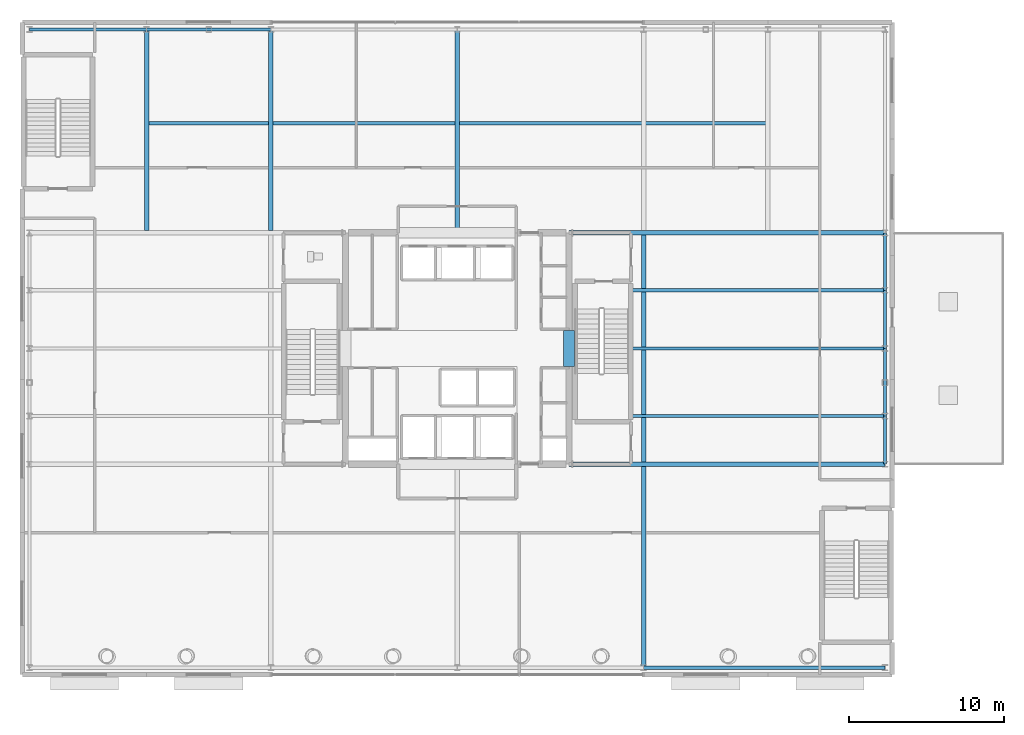
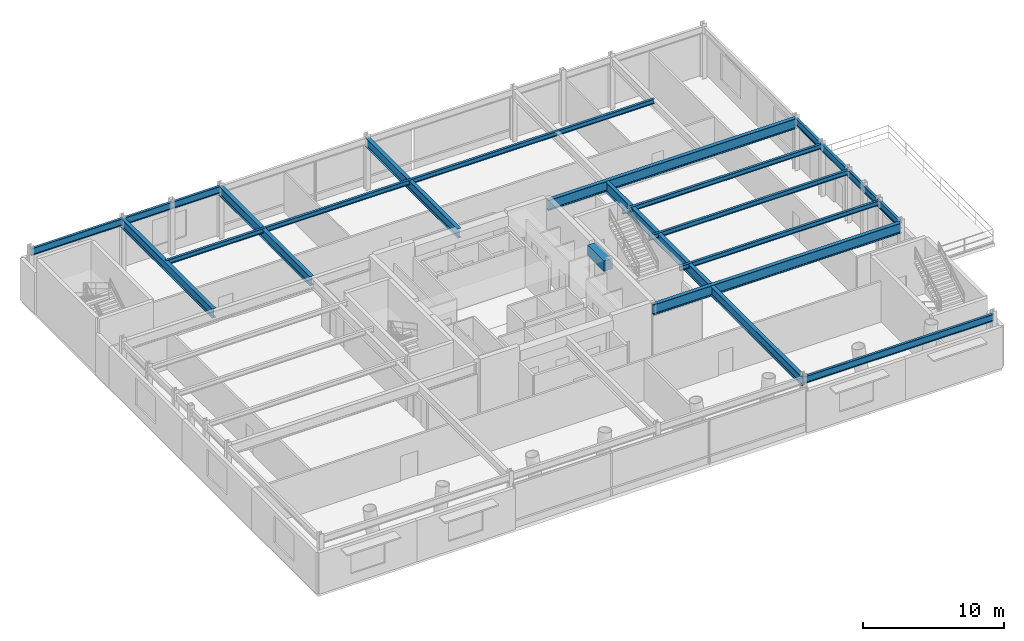
# One storey, part 9 of 22: 19 beams.
"""IFC4 building model written with IfcOpenShell, lengths in metres."""

from ifc_helpers import new_model, si_unit, direction, frame, origin, origin_2d, place, context, subcontext, project, spatial, rectangle, i_section, extrude, material, material_profile, profile_set, type_object, element, save


model = new_model("IFC4")

# Units and contexts
model_context = context("Model", 3, precision=1e-05, world=origin(), true_north=direction((0.0, 1.0)))
body_context = subcontext(model_context, "Body", "Model", "MODEL_VIEW")
ifc_project = project(units=[si_unit("LENGTHUNIT", "METRE"), si_unit("AREAUNIT", "SQUARE_METRE"), si_unit("VOLUMEUNIT", "CUBIC_METRE"), si_unit("PLANEANGLEUNIT", "RADIAN"), si_unit("MASSUNIT", "GRAM", prefix="KILO")], contexts=[model_context])

# Site, building, storey
site_placement = place(None, origin())
site = spatial("IfcSite", under=ifc_project, at=site_placement, CompositionType="ELEMENT")
building_placement = place(site_placement, origin())
building = spatial("IfcBuilding", under=site, at=building_placement, Name="Veldorina Hangang Commons", CompositionType="ELEMENT")
storey_placement = place(building_placement, frame((0.0, 0.0, 14.800048828125)))
storey = spatial("IfcBuildingStorey", under=building, at=storey_placement, Name="L03", CompositionType="ELEMENT", Elevation=14.800048828125)

# Beams
ifc_material_1 = material(Name="Concrete C70/85", Category="concrete")
ifc_material_profile_1 = material_profile(ifc_material_1, rectangle(XDim=0.699951171875, YDim=0.89990234375, at=origin_2d()), Name="RC-CB-700x900")
ifc_profile_set_1 = profile_set([ifc_material_profile_1], Name="Concrete C70/85")
beam_type_1 = type_object("IfcBeamType", Name="BM-CB900", PredefinedType="LINTEL", material=ifc_profile_set_1)
beam_1_placement = place(storey_placement, frame((39.199951171875, 22.85009765625, 4.050048828125), z_axis=(0.0, 1.0, 0.0), x_axis=(-1.0, 0.0, 0.0)))
element("IfcBeam", 1, at=beam_1_placement, inside=storey, type_object=beam_type_1, Name="L03 E core coupling lintel beam", PredefinedType="LINTEL", context=body_context, shape_type="SweptSolid", body=[
    extrude(rectangle(XDim=0.699951171875, YDim=0.89990234375, at=origin_2d()), origin(), (0.0, 0.0, 1.0), 2.2998046875),
])
ifc_material_2 = material(Name="Steel SM355-TMC", Category="steel")
ifc_material_profile_2 = material_profile(ifc_material_2, i_section(OverallWidth=0.199951171875, OverallDepth=0.39990234375, WebThickness=0.008056640625, FlangeThickness=0.012939453125, FilletRadius=0.012939453125, at=origin_2d()), Name="H-400x200x8x13")
ifc_profile_set_2 = profile_set([ifc_material_profile_2], Name="Steel SM355-TMC")
beam_type_2 = type_object("IfcBeamType", Name="BM-JST400", PredefinedType="JOIST", material=ifc_profile_set_2)
for number, where, z_axis, x_axis, name in (
    (2, (43.179931640625, 19.64990234375, 4.300048828125), (1.0, 0.0, 0.0), (0.0, 1.0, 0.0), "L03 east floor joist 1"),
    (3, (43.179931640625, 24.0, 4.300048828125), (1.0, 0.0, 0.0), (0.0, 1.0, 0.0), "L03 east floor joist 2"),
    (4, (43.179931640625, 27.75, 4.300048828125), (1.0, 0.0, 0.0), (0.0, 1.0, 0.0), "L03 east floor joist 3"),
):
    element("IfcBeam", number, at=place(storey_placement, frame(where, z_axis=z_axis, x_axis=x_axis)), inside=storey, type_object=beam_type_2, Name=name, PredefinedType="JOIST", context=body_context, shape_type="SweptSolid", body=[
        extrude(i_section(OverallWidth=0.199951171875, OverallDepth=0.39990234375, WebThickness=0.008056640625, FlangeThickness=0.012939453125, FilletRadius=0.012939453125, at=origin_2d()), origin(), (0.0, 0.0, 1.0), 16.3701171875),
    ])
beam_2_placement = place(storey_placement, frame((12.0, 38.5, 4.300048828125), z_axis=(1.0, 0.0, 0.0), x_axis=(0.0, 1.0, 0.0)))
element("IfcBeam", 5, at=beam_2_placement, inside=storey, type_object=beam_type_2, Name="L03 north floor joist 4", PredefinedType="JOIST", context=body_context, shape_type="SweptSolid", body=[
    extrude(i_section(OverallWidth=0.199951171875, OverallDepth=0.39990234375, WebThickness=0.008056640625, FlangeThickness=0.012939453125, FilletRadius=0.012939453125, at=origin_2d()), origin(), (0.0, 0.0, 1.0), 40.0),
])
ifc_material_3 = material(Name="Steel SM460-TMC", Category="steel")
ifc_material_profile_3 = material_profile(ifc_material_3, i_section(OverallWidth=0.300048828125, OverallDepth=0.800048828125, WebThickness=0.013916015625, FlangeThickness=0.02587890625, FilletRadius=0.02197265625, at=origin_2d()), Name="H-800x300x14x26")
ifc_profile_set_3 = profile_set([ifc_material_profile_3], Name="Steel SM460-TMC")
beam_type_3 = type_object("IfcBeamType", Name="BM-PG800", PredefinedType="BEAM", material=ifc_profile_set_3)
for number, where, z_axis, x_axis, name in (
    (6, (12.0, 31.590087890625, 4.099853515625), (0.0, 1.0, 0.0), (-1.0, 0.0, 0.0), "L03 north primary girder G2"),
    (7, (20.0, 31.590087890625, 4.099853515625), (0.0, 1.0, 0.0), (-1.0, 0.0, 0.0), "L03 north primary girder G3"),
):
    element("IfcBeam", number, at=place(storey_placement, frame(where, z_axis=z_axis, x_axis=x_axis)), inside=storey, type_object=beam_type_3, Name=name, PredefinedType="BEAM", context=body_context, shape_type="SweptSolid", body=[
        extrude(i_section(OverallWidth=0.300048828125, OverallDepth=0.800048828125, WebThickness=0.013916015625, FlangeThickness=0.02587890625, FilletRadius=0.02197265625, at=origin_2d()), origin(), (0.0, 0.0, 1.0), 12.9599609375),
    ])
beam_3_placement = place(storey_placement, frame((32.0, 31.449951171875, 4.099853515625), z_axis=(0.0, 1.0, 0.0), x_axis=(-1.0, 0.0, 0.0)))
element("IfcBeam", 8, at=beam_3_placement, inside=storey, type_object=beam_type_3, Name="L03 north primary girder G5", PredefinedType="BEAM", context=body_context, shape_type="SweptSolid", body=[
    extrude(i_section(OverallWidth=0.300048828125, OverallDepth=0.800048828125, WebThickness=0.013916015625, FlangeThickness=0.02587890625, FilletRadius=0.02197265625, at=origin_2d()), origin(), (0.0, 0.0, 1.0), 13.10009765625),
])
beam_4_placement = place(storey_placement, frame((44.0, 3.449951171875, 4.099853515625), z_axis=(0.0, 1.0, 0.0), x_axis=(-1.0, 0.0, 0.0)))
element("IfcBeam", 9, at=beam_4_placement, inside=storey, type_object=beam_type_3, Name="L03 south primary girder G7", PredefinedType="BEAM", context=body_context, shape_type="SweptSolid", body=[
    extrude(i_section(OverallWidth=0.300048828125, OverallDepth=0.800048828125, WebThickness=0.013916015625, FlangeThickness=0.02587890625, FilletRadius=0.02197265625, at=origin_2d()), origin(), (0.0, 0.0, 1.0), 12.9599609375),
])
ifc_material_profile_4 = material_profile(ifc_material_3, i_section(OverallWidth=0.300048828125, OverallDepth=0.89990234375, WebThickness=0.01611328125, FlangeThickness=0.028076171875, FilletRadius=0.02197265625, at=origin_2d()), Name="H-900x300x16x28")
ifc_profile_set_4 = profile_set([ifc_material_profile_4], Name="Steel SM460-TMC")
beam_type_4 = type_object("IfcBeamType", Name="BM-PG900", PredefinedType="BEAM", material=ifc_profile_set_4)
for number, where, z_axis, x_axis, name in (
    (10, (39.199951171875, 16.550048828125, 4.050048828125), (1.0, 0.0, 0.0), (0.0, 1.0, 0.0), "L03 east collector girder GD"),
    (11, (39.199951171875, 31.449951171875, 4.050048828125), (1.0, 0.0, 0.0), (0.0, 1.0, 0.0), "L03 east collector girder GF"),
):
    element("IfcBeam", number, at=place(storey_placement, frame(where, z_axis=z_axis, x_axis=x_axis)), inside=storey, type_object=beam_type_4, Name=name, PredefinedType="BEAM", context=body_context, shape_type="SweptSolid", body=[
        extrude(i_section(OverallWidth=0.300048828125, OverallDepth=0.89990234375, WebThickness=0.01611328125, FlangeThickness=0.028076171875, FilletRadius=0.02197265625, at=origin_2d()), origin(), (0.0, 0.0, 1.0), 20.35009765625),
    ])
beam_5_placement = place(storey_placement, frame((44.0, 16.68994140625, 4.050048828125), z_axis=(0.0, 1.0, 0.0), x_axis=(-1.0, 0.0, 0.0)))
element("IfcBeam", 12, at=beam_5_placement, inside=storey, type_object=beam_type_4, Name="L03 mid primary girder G7", PredefinedType="BEAM", context=body_context, shape_type="SweptSolid", body=[
    extrude(i_section(OverallWidth=0.300048828125, OverallDepth=0.89990234375, WebThickness=0.01611328125, FlangeThickness=0.028076171875, FilletRadius=0.02197265625, at=origin_2d()), origin(), (0.0, 0.0, 1.0), 14.6201171875),
])
ifc_material_4 = material(Name="Steel SM420-TMC", Category="steel")
ifc_material_profile_5 = material_profile(ifc_material_4, i_section(OverallWidth=0.199951171875, OverallDepth=0.60009765625, WebThickness=0.010986328125, FlangeThickness=0.01708984375, FilletRadius=0.01806640625, at=origin_2d()), Name="H-600x200x11x17")
ifc_profile_set_5 = profile_set([ifc_material_profile_5], Name="Steel SM420-TMC")
beam_type_5 = type_object("IfcBeamType", Name="BM-SPN600", PredefinedType="SPANDREL", material=ifc_profile_set_5)
beam_6_placement = place(storey_placement, frame((4.449951171875, 44.550048828125, 4.199951171875), z_axis=(1.0, 0.0, 0.0), x_axis=(0.0, 1.0, 0.0)))
element("IfcBeam", 13, at=beam_6_placement, inside=storey, type_object=beam_type_5, Name="L03 north spandrel beam 1", PredefinedType="SPANDREL", context=body_context, shape_type="SweptSolid", body=[
    extrude(i_section(OverallWidth=0.199951171875, OverallDepth=0.60009765625, WebThickness=0.010986328125, FlangeThickness=0.01708984375, FilletRadius=0.01806640625, at=origin_2d()), origin(), (0.0, 0.0, 1.0), 7.550048828125),
])
beam_7_placement = place(storey_placement, frame((12.0, 44.550048828125, 4.199951171875), z_axis=(1.0, 0.0, 0.0), x_axis=(0.0, 1.0, 0.0)))
element("IfcBeam", 14, at=beam_7_placement, inside=storey, type_object=beam_type_5, Name="L03 north spandrel beam 2", PredefinedType="SPANDREL", context=body_context, shape_type="SweptSolid", body=[
    extrude(i_section(OverallWidth=0.199951171875, OverallDepth=0.60009765625, WebThickness=0.010986328125, FlangeThickness=0.01708984375, FilletRadius=0.01806640625, at=origin_2d()), origin(), (0.0, 0.0, 1.0), 8.0),
])
beam_8_placement = place(storey_placement, frame((44.0, 3.449951171875, 4.199951171875), z_axis=(1.0, 0.0, 0.0), x_axis=(0.0, 1.0, 0.0)))
element("IfcBeam", 15, at=beam_8_placement, inside=storey, type_object=beam_type_5, Name="L03 south spandrel beam 4", PredefinedType="SPANDREL", context=body_context, shape_type="SweptSolid", body=[
    extrude(i_section(OverallWidth=0.199951171875, OverallDepth=0.60009765625, WebThickness=0.010986328125, FlangeThickness=0.01708984375, FilletRadius=0.01806640625, at=origin_2d()), origin(), (0.0, 0.0, 1.0), 15.550048828125),
])
beam_9_placement = place(storey_placement, frame((59.550048828125, 16.550048828125, 4.199951171875), z_axis=(0.0, 1.0, 0.0), x_axis=(-1.0, 0.0, 0.0)))
element("IfcBeam", 16, at=beam_9_placement, inside=storey, type_object=beam_type_5, Name="L03 east spandrel beam 2", PredefinedType="SPANDREL", context=body_context, shape_type="SweptSolid", body=[
    extrude(i_section(OverallWidth=0.199951171875, OverallDepth=0.60009765625, WebThickness=0.010986328125, FlangeThickness=0.01708984375, FilletRadius=0.01806640625, at=origin_2d()), origin(), (0.0, 0.0, 1.0), 3.099853515625),
])
beam_10_placement = place(storey_placement, frame((59.550048828125, 19.64990234375, 4.199951171875), z_axis=(0.0, 1.0, 0.0), x_axis=(-1.0, 0.0, 0.0)))
element("IfcBeam", 17, at=beam_10_placement, inside=storey, type_object=beam_type_5, Name="L03 east spandrel beam 3", PredefinedType="SPANDREL", context=body_context, shape_type="SweptSolid", body=[
    extrude(i_section(OverallWidth=0.199951171875, OverallDepth=0.60009765625, WebThickness=0.010986328125, FlangeThickness=0.01708984375, FilletRadius=0.01806640625, at=origin_2d()), origin(), (0.0, 0.0, 1.0), 4.35009765625),
])
beam_11_placement = place(storey_placement, frame((59.550048828125, 24.0, 4.199951171875), z_axis=(0.0, 1.0, 0.0), x_axis=(-1.0, 0.0, 0.0)))
element("IfcBeam", 18, at=beam_11_placement, inside=storey, type_object=beam_type_5, Name="L03 east spandrel beam 4", PredefinedType="SPANDREL", context=body_context, shape_type="SweptSolid", body=[
    extrude(i_section(OverallWidth=0.199951171875, OverallDepth=0.60009765625, WebThickness=0.010986328125, FlangeThickness=0.01708984375, FilletRadius=0.01806640625, at=origin_2d()), origin(), (0.0, 0.0, 1.0), 3.75),
])
beam_12_placement = place(storey_placement, frame((59.550048828125, 27.75, 4.199951171875), z_axis=(0.0, 1.0, 0.0), x_axis=(-1.0, 0.0, 0.0)))
element("IfcBeam", 19, at=beam_12_placement, inside=storey, type_object=beam_type_5, Name="L03 east spandrel beam 5", PredefinedType="SPANDREL", context=body_context, shape_type="SweptSolid", body=[
    extrude(i_section(OverallWidth=0.199951171875, OverallDepth=0.60009765625, WebThickness=0.010986328125, FlangeThickness=0.01708984375, FilletRadius=0.01806640625, at=origin_2d()), origin(), (0.0, 0.0, 1.0), 3.699951171875),
])

save(model, "model.ifc")
